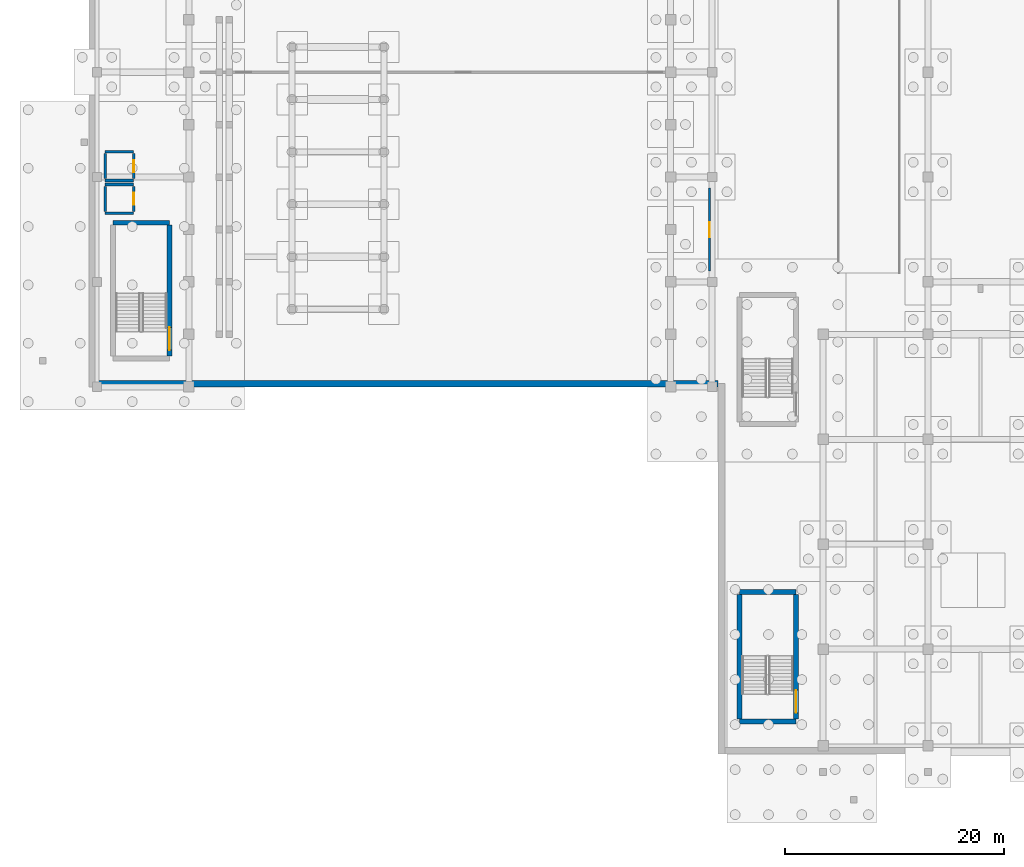
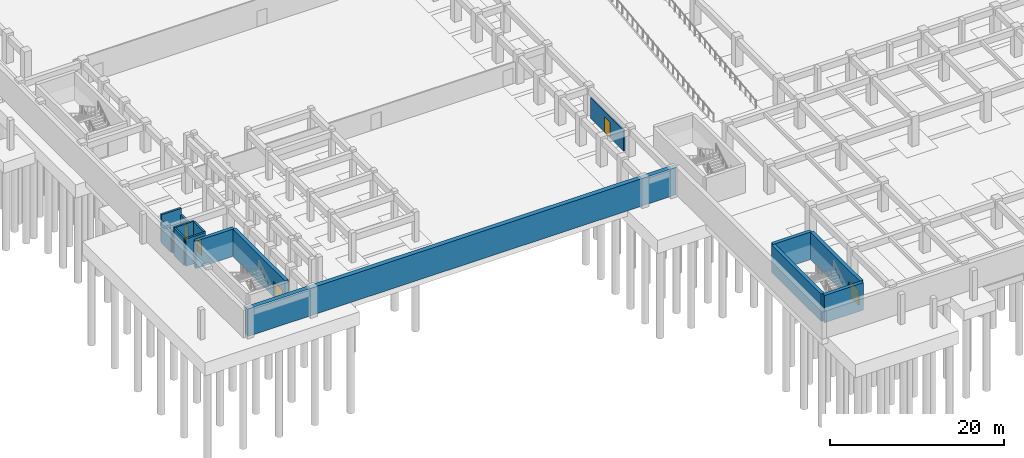
# One storey, part 16 of 39: 16 walls, 5 doors, 5 openings.
"""IFC4 building model written with IfcOpenShell, lengths in metres."""

from ifc_helpers import new_model, si_unit, direction, frame, frame_2d, origin, place, context, subcontext, project, spatial, rectangle, extrude, material, layer, layer_set, type_object, element, fill, save


model = new_model("IFC4")

# Units and contexts
model_context = context("Model", 3, precision=1e-05, world=origin(), true_north=direction((0.0, 1.0)))
body_context = subcontext(model_context, "Body", "Model", "MODEL_VIEW")
ifc_project = project(units=[si_unit("LENGTHUNIT", "METRE"), si_unit("AREAUNIT", "SQUARE_METRE"), si_unit("VOLUMEUNIT", "CUBIC_METRE"), si_unit("PLANEANGLEUNIT", "RADIAN"), si_unit("MASSUNIT", "GRAM", prefix="KILO")], contexts=[model_context])

# Site, building, storey
site_placement = place(None, origin())
site = spatial("IfcSite", under=ifc_project, at=site_placement, CompositionType="ELEMENT")
building_placement = place(site_placement, origin())
building = spatial("IfcBuilding", under=site, at=building_placement, Name="Nakhvara Creek Congress Hotel", CompositionType="ELEMENT")
storey_placement = place(building_placement, frame((0.0, 0.0, -8.39990234375)))
storey = spatial("IfcBuildingStorey", under=building, at=storey_placement, Name="B2", CompositionType="ELEMENT", Elevation=-8.39990234375)

# Wall, opening, door
ifc_material_1 = material(Name="Moisture-resistant blockwork and plaster", Category="masonry")
ifc_layer_1 = layer(ifc_material_1, 0.159912109375)
ifc_layer_set_1 = layer_set([ifc_layer_1], Name="Moisture-resistant blockwork and plaster")
wall_type_1 = type_object("IfcWallType", Name="W-BOH-160", PredefinedType="PARTITIONING", material=ifc_layer_set_1)
wall_1_placement = place(storey_placement, frame((56.800048828125, 44.199951171875, 0.0), z_axis=(0.0, 0.0, 1.0), x_axis=(0.0, 1.0, 0.0)))
wall_1 = element("IfcWall", 1, at=wall_1_placement, inside=storey, type_object=wall_type_1, Name="Interior Wall WP14-IW-B2-0033", PredefinedType="PARTITIONING", context=body_context, shape_type="SweptSolid", body=[
    extrude(rectangle(XDim=7.60009765625, YDim=0.159912109375, at=frame_2d((3.800048828125, 0.0))), origin(), (0.0, 0.0, 1.0), 2.971923828125),
])
opening_1_placement = place(wall_1_placement, frame((3.10009765625, 0.0, 0.0)))
opening_1 = element("IfcOpeningElement", 2, at=opening_1_placement, cuts=wall_1, Name="Opening ID05", PredefinedType="OPENING", context=body_context, shape_type="SweptSolid", body=[
    extrude(rectangle(XDim=1.35009765625, YDim=2.199951171875, at=frame_2d((0.675048828125, 1.10009765625))), frame((0.0, 0.091796875, 0.0), z_axis=(0.0, -1.0, 0.0), x_axis=(1.0, 0.0, 0.0)), (0.0, 0.0, 1.0), 0.183837890625),
])
ifc_material_2 = material(Name="Brushed stainless-clad BOH door")
door_type_1 = type_object("IfcDoorType", Name="DT-BOH-135", OperationType="NOTDEFINED", PredefinedType="DOOR", material=ifc_material_2)
door_1_placement = place(opening_1_placement, origin())
door_1 = element("IfcDoor", 3, at=door_1_placement, inside=storey, type_object=door_type_1, Name="Interior Door ID05-0023", OperationType="SINGLE_SWING_RIGHT", OverallHeight=2.199951171875, OverallWidth=1.35009765625, PredefinedType="DOOR", context=body_context, shape_type="SweptSolid", body=[
    extrude(rectangle(XDim=1.35009765625, YDim=2.199951171875, at=frame_2d((0.675048828125, 1.10009765625))), frame((0.0, 0.02490234375, 0.0), z_axis=(0.0, -1.0, 0.0), x_axis=(1.0, 0.0, 0.0)), (0.0, 0.0, 1.0), 0.050048828125),
])
fill(opening_1, door_1)

# Wall
ifc_material_3 = material(Name="Concrete C50/60", Category="concrete")
ifc_layer_2 = layer(ifc_material_3, 0.449951171875)
ifc_layer_set_2 = layer_set([ifc_layer_2], Name="Concrete C50/60")
wall_type_2 = type_object("IfcWallType", Name="W-CORE-450", PredefinedType="SHEAR", material=ifc_layer_set_2)
wall_2_placement = place(storey_placement, frame((2.22998046875, 48.6201171875, 0.0), z_axis=(0.0, 0.0, 1.0), x_axis=(1.0, 0.0, 0.0)))
element("IfcWall", 4, at=wall_2_placement, inside=storey, type_object=wall_type_2, Name="Core Shear Wall WS02-CWALL-B2-0710", PredefinedType="SHEAR", context=body_context, shape_type="SweptSolid", body=[
    extrude(rectangle(XDim=5.14990234375, YDim=0.449951171875, at=frame_2d((2.574951171875, 0.0))), origin(), (0.0, 0.0, 1.0), 3.85986328125),
])

# Wall, opening, door
wall_3_placement = place(storey_placement, frame((7.3798828125, 36.39990234375, 0.0), z_axis=(0.0, 0.0, 1.0), x_axis=(0.0, 1.0, 0.0)))
wall_3 = element("IfcWall", 5, at=wall_3_placement, inside=storey, type_object=wall_type_2, Name="Core Shear Wall WS02-CWALL-B2-0712", PredefinedType="SHEAR", context=body_context, shape_type="SweptSolid", body=[
    extrude(rectangle(XDim=12.0, YDim=0.449951171875, at=frame_2d((6.0, 0.0))), origin(), (0.0, 0.0, 1.0), 3.85986328125),
])
opening_2_placement = place(wall_3_placement, frame((0.550048828125, 0.0, 0.0)))
opening_2 = element("IfcOpeningElement", 6, at=opening_2_placement, cuts=wall_3, Name="Opening FD19", PredefinedType="OPENING", context=body_context, shape_type="SweptSolid", body=[
    extrude(rectangle(XDim=2.10009765625, YDim=2.199951171875, at=frame_2d((1.050048828125, 1.10009765625))), frame((0.0, 0.23681640625, 0.0), z_axis=(0.0, -1.0, 0.0), x_axis=(1.0, 0.0, 0.0)), (0.0, 0.0, 1.0), 0.473876953125),
])
ifc_material_4 = material(Name="Galvanised steel acoustic fire door", Category="steel")
door_type_2 = type_object("IfcDoorType", Name="DT-STAIR-220", OperationType="DOUBLE_DOOR_SINGLE_SWING", PredefinedType="DOOR", material=ifc_material_4)
door_2_placement = place(opening_2_placement, frame((2.10009765625, 0.0, 0.0), z_axis=(0.0, 0.0, 1.0), x_axis=(-1.0, 0.0, 0.0)))
door_2 = element("IfcDoor", 7, at=door_2_placement, inside=storey, type_object=door_type_2, Name="Stair Exit Door ST05-B2", OperationType="DOUBLE_DOOR_SINGLE_SWING", OverallHeight=2.199951171875, OverallWidth=2.10009765625, PredefinedType="DOOR", context=body_context, shape_type="SweptSolid", body=[
    extrude(rectangle(XDim=2.10009765625, YDim=2.199951171875, at=frame_2d((1.050048828125, 1.10009765625))), frame((0.0, 0.02490234375, 0.0), z_axis=(0.0, -1.0, 0.0), x_axis=(1.0, 0.0, 0.0)), (0.0, 0.0, 1.0), 0.050048828125),
])
fill(opening_2, door_2)

# Walls
for number, where, z_axis, x_axis, name in (
    (8, (59.550048828125, 2.97998046875, 0.0), (0.0, 0.0, 1.0), (1.0, 0.0, 0.0), "Core Shear Wall WS02-CWALL-B2-0935"),
    (9, (59.550048828125, 14.820068359375, 0.0), (0.0, 0.0, 1.0), (1.0, 0.0, 0.0), "Core Shear Wall WS02-CWALL-B2-0936"),
):
    element("IfcWall", number, at=place(storey_placement, frame(where, z_axis=z_axis, x_axis=x_axis)), inside=storey, type_object=wall_type_2, Name=name, PredefinedType="SHEAR", context=body_context, shape_type="SweptSolid", body=[
        extrude(rectangle(XDim=5.14990234375, YDim=0.449951171875, at=frame_2d((2.574951171875, 0.0))), origin(), (0.0, 0.0, 1.0), 3.85986328125),
    ])
wall_4_placement = place(storey_placement, frame((59.550048828125, 3.199951171875, 0.0), z_axis=(0.0, 0.0, 1.0), x_axis=(0.0, 1.0, 0.0)))
element("IfcWall", 10, at=wall_4_placement, inside=storey, type_object=wall_type_2, Name="Core Shear Wall WS02-CWALL-B2-0937", PredefinedType="SHEAR", context=body_context, shape_type="SweptSolid", body=[
    extrude(rectangle(XDim=11.400146484375, YDim=0.449951171875, at=frame_2d((5.7001953125, 0.0))), origin(), (0.0, 0.0, 1.0), 3.85986328125),
])

# Wall, opening, door
wall_5_placement = place(storey_placement, frame((64.699951171875, 3.199951171875, 0.0), z_axis=(0.0, 0.0, 1.0), x_axis=(0.0, 1.0, 0.0)))
wall_5 = element("IfcWall", 11, at=wall_5_placement, inside=storey, type_object=wall_type_2, Name="Core Shear Wall WS02-CWALL-B2-0938", PredefinedType="SHEAR", context=body_context, shape_type="SweptSolid", body=[
    extrude(rectangle(XDim=11.400146484375, YDim=0.449951171875, at=frame_2d((5.7001953125, 0.0))), origin(), (0.0, 0.0, 1.0), 3.85986328125),
])
opening_3_placement = place(wall_5_placement, frame((0.550048828125, 0.0, 0.0)))
opening_3 = element("IfcOpeningElement", 12, at=opening_3_placement, cuts=wall_5, Name="Opening FD19", PredefinedType="OPENING", context=body_context, shape_type="SweptSolid", body=[
    extrude(rectangle(XDim=2.10009765625, YDim=2.199951171875, at=frame_2d((1.050048828125, 1.10009765625))), frame((0.0, 0.23681640625, 0.0), z_axis=(0.0, -1.0, 0.0), x_axis=(1.0, 0.0, 0.0)), (0.0, 0.0, 1.0), 0.473876953125),
])
door_3_placement = place(opening_3_placement, frame((2.10009765625, 0.0, 0.0), z_axis=(0.0, 0.0, 1.0), x_axis=(-1.0, 0.0, 0.0)))
door_3 = element("IfcDoor", 13, at=door_3_placement, inside=storey, type_object=door_type_2, Name="Stair Exit Door ST11-B2", OperationType="DOUBLE_DOOR_SINGLE_SWING", OverallHeight=2.199951171875, OverallWidth=2.10009765625, PredefinedType="DOOR", context=body_context, shape_type="SweptSolid", body=[
    extrude(rectangle(XDim=2.10009765625, YDim=2.199951171875, at=frame_2d((1.050048828125, 1.10009765625))), frame((0.0, 0.02490234375, 0.0), z_axis=(0.0, -1.0, 0.0), x_axis=(1.0, 0.0, 0.0)), (0.0, 0.0, 1.0), 0.050048828125),
])
fill(opening_3, door_3)

# Walls
ifc_material_5 = material(Name="Concrete C40/50", Category="concrete")
ifc_layer_3 = layer(ifc_material_5, 0.60009765625)
ifc_layer_set_3 = layer_set([ifc_layer_3], Name="Concrete C40/50")
wall_type_3 = type_object("IfcWallType", Name="W-RET-600", PredefinedType="USERDEFINED", material=ifc_layer_set_3)
wall_6_placement = place(storey_placement, frame((57.60009765625, 33.89990234375, 0.0), z_axis=(0.0, 0.0, 1.0), x_axis=(-1.0, 0.0, 0.0)))
element("IfcWall", 14, at=wall_6_placement, inside=storey, type_object=wall_type_3, Name="Exterior Wall WR01-EW-B2-0010", ObjectType="RETAININGWALL", PredefinedType="USERDEFINED", context=body_context, shape_type="SweptSolid", body=[
    extrude(rectangle(XDim=57.0, YDim=0.60009765625, at=frame_2d((28.5, 0.0))), origin(), (0.0, 0.0, 1.0), 3.85986328125),
])
ifc_layer_4 = layer(ifc_material_5, 0.25)
ifc_layer_set_4 = layer_set([ifc_layer_4], Name="Concrete C40/50")
wall_type_4 = type_object("IfcWallType", Name="W-SHAFT-250", PredefinedType="SOLIDWALL", material=ifc_layer_set_4)
for number, where, z_axis, x_axis, name in (
    (15, (1.489990234375, 49.489990234375, 0.0), (0.0, 0.0, 1.0), (1.0, 0.0, 0.0), "Core Shear Wall WI02-CWALL-B2-0713"),
    (16, (1.489990234375, 52.110107421875, 0.0), (0.0, 0.0, 1.0), (1.0, 0.0, 0.0), "Core Shear Wall WI02-CWALL-B2-0714"),
):
    element("IfcWall", number, at=place(storey_placement, frame(where, z_axis=z_axis, x_axis=x_axis)), inside=storey, type_object=wall_type_4, Name=name, PredefinedType="SOLIDWALL", context=body_context, shape_type="SweptSolid", body=[
        extrude(rectangle(XDim=2.6201171875, YDim=0.25, at=frame_2d((1.31005859375, 0.0))), origin(), (0.0, 0.0, 1.0), 3.85986328125),
    ])
wall_7_placement = place(storey_placement, frame((1.489990234375, 49.64990234375, 0.0), z_axis=(0.0, 0.0, 1.0), x_axis=(0.0, 1.0, 0.0)))
element("IfcWall", 17, at=wall_7_placement, inside=storey, type_object=wall_type_4, Name="Core Shear Wall WI02-CWALL-B2-0715", PredefinedType="SOLIDWALL", context=body_context, shape_type="SweptSolid", body=[
    extrude(rectangle(XDim=2.300048828125, YDim=0.25, at=frame_2d((1.14990234375, 0.0))), origin(), (0.0, 0.0, 1.0), 3.85986328125),
])

# Wall, opening, door
wall_8_placement = place(storey_placement, frame((4.110107421875, 49.64990234375, 0.0), z_axis=(0.0, 0.0, 1.0), x_axis=(0.0, 1.0, 0.0)))
wall_8 = element("IfcWall", 18, at=wall_8_placement, inside=storey, type_object=wall_type_4, Name="Core Shear Wall WI02-CWALL-B2-0716", PredefinedType="SOLIDWALL", context=body_context, shape_type="SweptSolid", body=[
    extrude(rectangle(XDim=2.300048828125, YDim=0.25, at=frame_2d((1.14990234375, 0.0))), origin(), (0.0, 0.0, 1.0), 3.85986328125),
])
opening_4_placement = place(wall_8_placement, frame((0.60009765625, 0.0, 0.0)))
opening_4 = element("IfcOpeningElement", 19, at=opening_4_placement, cuts=wall_8, Name="Opening LD01", PredefinedType="OPENING", context=body_context, shape_type="SweptSolid", body=[
    extrude(rectangle(XDim=1.10009765625, YDim=2.199951171875, at=frame_2d((0.550048828125, 1.10009765625))), frame((0.0, 0.136962890625, 0.0), z_axis=(0.0, -1.0, 0.0), x_axis=(1.0, 0.0, 0.0)), (0.0, 0.0, 1.0), 0.27392578125),
])
ifc_material_6 = material(Name="Brushed stainless steel sliding landing door", Category="steel")
door_type_3 = type_object("IfcDoorType", Name="DT-LIFT-110", OperationType="DOUBLE_DOOR_SLIDING", PredefinedType="DOOR", material=ifc_material_6)
door_4_placement = place(opening_4_placement, origin())
door_4 = element("IfcDoor", 20, at=door_4_placement, inside=storey, type_object=door_type_3, Name="Landing Door CL01-B2", OperationType="SLIDING_TO_LEFT", OverallHeight=2.199951171875, OverallWidth=1.10009765625, PredefinedType="DOOR", context=body_context, shape_type="SweptSolid", body=[
    extrude(rectangle(XDim=1.10009765625, YDim=2.199951171875, at=frame_2d((0.550048828125, 1.10009765625))), frame((0.0, 0.02490234375, 0.0), z_axis=(0.0, -1.0, 0.0), x_axis=(1.0, 0.0, 0.0)), (0.0, 0.0, 1.0), 0.050048828125),
])
fill(opening_4, door_4)

# Walls
wall_9_placement = place(storey_placement, frame((1.489990234375, 52.489990234375, 0.0), z_axis=(0.0, 0.0, 1.0), x_axis=(1.0, 0.0, 0.0)))
element("IfcWall", 21, at=wall_9_placement, inside=storey, type_object=wall_type_4, Name="Core Shear Wall WI02-CWALL-B2-0717", PredefinedType="SOLIDWALL", context=body_context, shape_type="SweptSolid", body=[
    extrude(rectangle(XDim=2.6201171875, YDim=0.25, at=frame_2d((1.31005859375, 0.0))), origin(), (0.0, 0.0, 1.0), 2.971923828125),
])
wall_10_placement = place(storey_placement, frame((1.489990234375, 55.110107421875, 0.0), z_axis=(0.0, 0.0, 1.0), x_axis=(1.0, 0.0, 0.0)))
element("IfcWall", 22, at=wall_10_placement, inside=storey, type_object=wall_type_4, Name="Core Shear Wall WI02-CWALL-B2-0718", PredefinedType="SOLIDWALL", context=body_context, shape_type="SweptSolid", body=[
    extrude(rectangle(XDim=2.6201171875, YDim=0.25, at=frame_2d((1.31005859375, 0.0))), origin(), (0.0, 0.0, 1.0), 3.85986328125),
])
wall_11_placement = place(storey_placement, frame((1.489990234375, 52.64990234375, 0.0), z_axis=(0.0, 0.0, 1.0), x_axis=(0.0, 1.0, 0.0)))
element("IfcWall", 23, at=wall_11_placement, inside=storey, type_object=wall_type_4, Name="Core Shear Wall WI02-CWALL-B2-0719", PredefinedType="SOLIDWALL", context=body_context, shape_type="SweptSolid", body=[
    extrude(rectangle(XDim=2.300048828125, YDim=0.25, at=frame_2d((1.14990234375, 0.0))), origin(), (0.0, 0.0, 1.0), 2.971923828125),
])

# Wall, opening, door
wall_12_placement = place(storey_placement, frame((4.110107421875, 52.64990234375, 0.0), z_axis=(0.0, 0.0, 1.0), x_axis=(0.0, 1.0, 0.0)))
wall_12 = element("IfcWall", 24, at=wall_12_placement, inside=storey, type_object=wall_type_4, Name="Core Shear Wall WI02-CWALL-B2-0720", PredefinedType="SOLIDWALL", context=body_context, shape_type="SweptSolid", body=[
    extrude(rectangle(XDim=2.300048828125, YDim=0.25, at=frame_2d((1.14990234375, 0.0))), origin(), (0.0, 0.0, 1.0), 2.971923828125),
])
opening_5_placement = place(wall_12_placement, frame((0.60009765625, 0.0, 0.0)))
opening_5 = element("IfcOpeningElement", 25, at=opening_5_placement, cuts=wall_12, Name="Opening LD01", PredefinedType="OPENING", context=body_context, shape_type="SweptSolid", body=[
    extrude(rectangle(XDim=1.10009765625, YDim=2.199951171875, at=frame_2d((0.550048828125, 1.10009765625))), frame((0.0, 0.136962890625, 0.0), z_axis=(0.0, -1.0, 0.0), x_axis=(1.0, 0.0, 0.0)), (0.0, 0.0, 1.0), 0.27392578125),
])
door_5_placement = place(opening_5_placement, origin())
door_5 = element("IfcDoor", 26, at=door_5_placement, inside=storey, type_object=door_type_3, Name="Landing Door CL02-B2", OperationType="SLIDING_TO_LEFT", OverallHeight=2.199951171875, OverallWidth=1.10009765625, PredefinedType="DOOR", context=body_context, shape_type="SweptSolid", body=[
    extrude(rectangle(XDim=1.10009765625, YDim=2.199951171875, at=frame_2d((0.550048828125, 1.10009765625))), frame((0.0, 0.02490234375, 0.0), z_axis=(0.0, -1.0, 0.0), x_axis=(1.0, 0.0, 0.0)), (0.0, 0.0, 1.0), 0.050048828125),
])
fill(opening_5, door_5)

save(model, "model.ifc")
